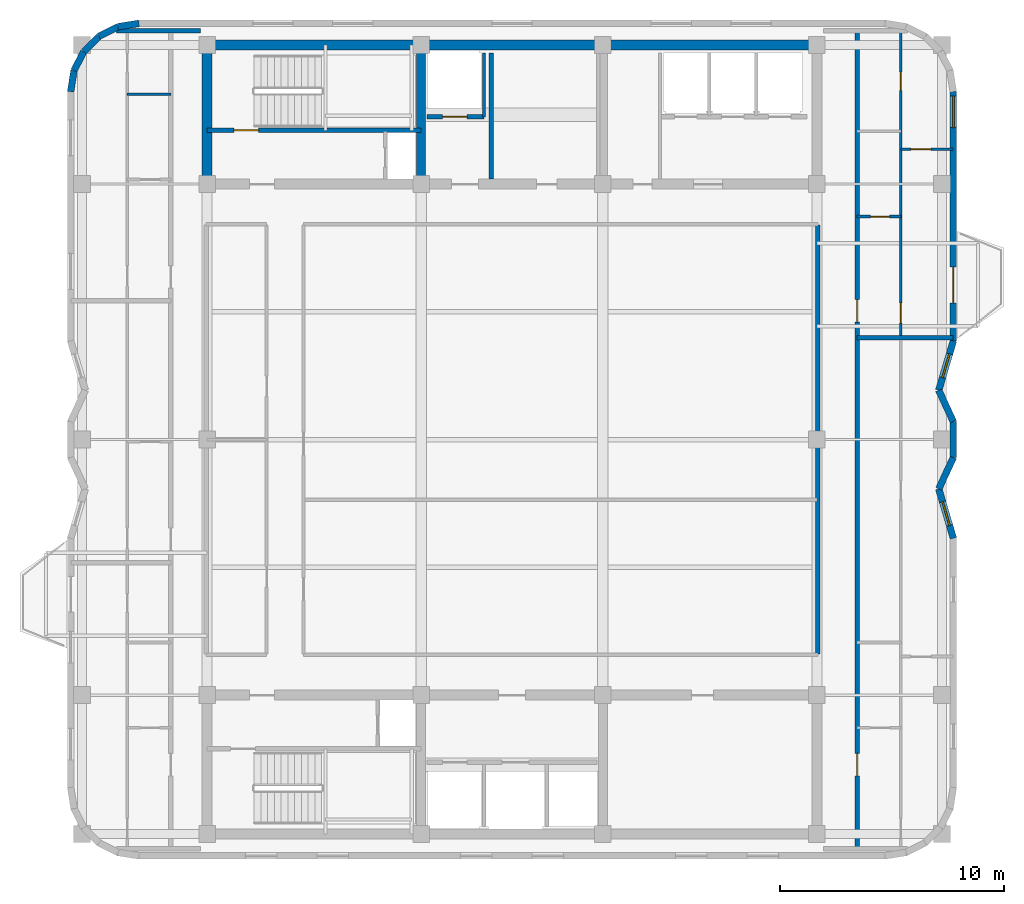
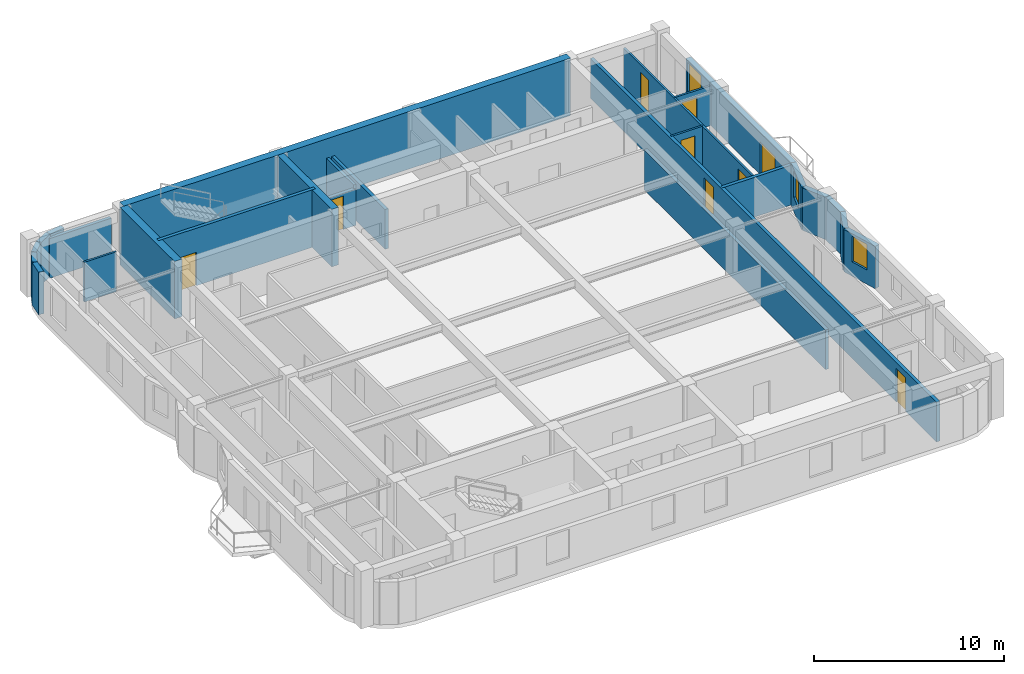
# One storey, part 5 of 8: 26 walls, 9 doors, 3 windows, 12 openings.
"""IFC4 building model written with IfcOpenShell, lengths in metres."""

from ifc_helpers import new_model, si_unit, direction, frame, frame_2d, origin, place, context, subcontext, project, spatial, rectangle, extrude, material, layer, layer_set, type_object, element, fill, save


model = new_model("IFC4")

# Units and contexts
model_context = context("Model", 3, precision=1e-05, world=origin(), true_north=direction((0.0, 1.0)))
body_context = subcontext(model_context, "Body", "Model", "MODEL_VIEW")
ifc_project = project(units=[si_unit("LENGTHUNIT", "METRE"), si_unit("AREAUNIT", "SQUARE_METRE"), si_unit("VOLUMEUNIT", "CUBIC_METRE"), si_unit("PLANEANGLEUNIT", "RADIAN"), si_unit("MASSUNIT", "GRAM", prefix="KILO")], contexts=[model_context])

# Site, building, storey
site_placement = place(None, origin())
site = spatial("IfcSite", under=ifc_project, at=site_placement, CompositionType="ELEMENT")
building_placement = place(site_placement, origin())
building = spatial("IfcBuilding", under=site, at=building_placement, Name="Svetorya Sky Lyceum", CompositionType="ELEMENT")
storey_placement = place(building_placement, frame((0.0, 0.0, 286.10009765625)))
storey = spatial("IfcBuildingStorey", under=building, at=storey_placement, Name="L72", CompositionType="ELEMENT", Elevation=286.10009765625)

# Walls
ifc_material_1 = material(Name="Concrete C40/50", Category="concrete")
ifc_layer_1 = layer(ifc_material_1, 0.39990234375)
ifc_layer_set_1 = layer_set([ifc_layer_1], Name="Concrete C40/50")
wall_type_1 = type_object("IfcWallType", Name="WL-CORE-400", PredefinedType="SHEAR", material=ifc_layer_set_1)
wall_1_placement = place(storey_placement, frame((35.14990234375, 39.824951171875, 0.0), z_axis=(0.0, 0.0, 1.0), x_axis=(0.0, 1.0, 0.0)))
element("IfcWall", 1, at=wall_1_placement, inside=storey, type_object=wall_type_1, Name="L72 NC Internal Shear Web WEB1", PredefinedType="SHEAR", context=body_context, shape_type="SweptSolid", body=[
    extrude(rectangle(XDim=5.75, YDim=0.39990234375, at=frame_2d((2.875, 0.0))), origin(), (0.0, 0.0, 1.0), 3.699951171875),
])
ifc_material_2 = material(Name="Concrete C50/60", Category="concrete")
ifc_layer_2 = layer(ifc_material_2, 0.449951171875)
ifc_layer_set_2 = layer_set([ifc_layer_2], Name="Concrete C50/60")
wall_type_2 = type_object("IfcWallType", Name="WL-CORE-450", PredefinedType="SHEAR", material=ifc_layer_set_2)
wall_2_placement = place(storey_placement, frame((25.60009765625, 45.800048828125, 0.0), z_axis=(0.0, 0.0, 1.0), x_axis=(1.0, 0.0, 0.0)))
element("IfcWall", 2, at=wall_2_placement, inside=storey, type_object=wall_type_2, Name="L72 NC Outer Core Shear Wall", PredefinedType="SHEAR", context=body_context, shape_type="SweptSolid", body=[
    extrude(rectangle(XDim=27.199951171875, YDim=0.449951171875, at=frame_2d((13.60009765625, 0.0))), origin(), (0.0, 0.0, 1.0), 3.699951171875),
])
wall_3_placement = place(storey_placement, frame((25.60009765625, 39.824951171875, 0.0), z_axis=(0.0, 0.0, 1.0), x_axis=(0.0, 1.0, 0.0)))
element("IfcWall", 3, at=wall_3_placement, inside=storey, type_object=wall_type_2, Name="L72 NC West Core Shear Wall", PredefinedType="SHEAR", context=body_context, shape_type="SweptSolid", body=[
    extrude(rectangle(XDim=5.75, YDim=0.449951171875, at=frame_2d((2.875, 0.0))), origin(), (0.0, 0.0, 1.0), 3.699951171875),
])

# Wall, opening, window
ifc_material_3 = material(Name="Putilovo limestone rainscreen on autoclaved cellular masonry", Category="masonry")
ifc_layer_3 = layer(ifc_material_3, 0.300048828125)
ifc_layer_set_3 = layer_set([ifc_layer_3], Name="Putilovo limestone rainscreen on autoclaved cellular masonry")
wall_type_3 = type_object("IfcWallType", Name="WL-EXT-300", PredefinedType="SOLIDWALL", material=ifc_layer_set_3)
wall_4_placement = place(storey_placement, frame((58.889892578125, 23.800048828125, 0.0), z_axis=(0.0, 0.0, 1.0), x_axis=(-0.283312771328, 0.959027566654, 0.0)))
wall_4 = element("IfcWall", 4, at=wall_4_placement, inside=storey, type_object=wall_type_3, Name="L72 Limestone Exterior Wall 13M", PredefinedType="SOLIDWALL", context=body_context, shape_type="SweptSolid", body=[
    extrude(rectangle(XDim=2.2939453125, YDim=0.300048828125, at=frame_2d((1.14697265625, 0.0))), origin(), (0.0, 0.0, 1.0), 2.72998046875),
])
opening_1_placement = place(wall_4_placement, frame((0.596923828125, 0.0, 0.919921875)))
opening_1 = element("IfcOpeningElement", 5, at=opening_1_placement, cuts=wall_4, Name="Opening W-R3", PredefinedType="OPENING", context=body_context, shape_type="SweptSolid", body=[
    extrude(rectangle(XDim=1.10009765625, YDim=1.64990234375, at=frame_2d((0.550048828125, 0.824951171875))), frame((0.0, 0.159912109375, 0.0), z_axis=(0.0, -1.0, 0.0), x_axis=(1.0, 0.0, 0.0)), (0.0, 0.0, 1.0), 0.320068359375),
])
ifc_material_4 = material(Name="Thermally broken aluminium frame with triple low-E glazing", Category="aluminium")
window_type_1 = type_object("IfcWindowType", Name="WN-RES-110", PartitioningType="SINGLE_PANEL", PredefinedType="WINDOW", material=ifc_material_4)
window_1_placement = place(opening_1_placement, origin())
window_1 = element("IfcWindow", 6, at=window_1_placement, inside=storey, type_object=window_type_1, Name="L72 Facade Window W-R3.13M.1", OverallHeight=1.64990234375, OverallWidth=1.10009765625, PartitioningType="SINGLE_PANEL", PredefinedType="WINDOW", context=body_context, shape_type="SweptSolid", body=[
    extrude(rectangle(XDim=1.10009765625, YDim=1.64990234375, at=frame_2d((0.550048828125, 0.824951171875))), frame((0.0, 0.030029296875, 0.0), z_axis=(0.0, -1.0, 0.0), x_axis=(1.0, 0.0, 0.0)), (0.0, 0.0, 1.0), 0.06005859375),
])
fill(opening_1, window_1)

# Walls
wall_5_placement = place(storey_placement, frame((58.239990234375, 26.0, 0.0), z_axis=(0.0, 0.0, 1.0), x_axis=(0.421083420882, 0.907021914101, 0.0)))
element("IfcWall", 7, at=wall_5_placement, inside=storey, type_object=wall_type_3, Name="L72 Limestone Exterior Wall 14M", PredefinedType="SOLIDWALL", context=body_context, shape_type="SweptSolid", body=[
    extrude(rectangle(XDim=1.54345703125, YDim=0.300048828125, at=frame_2d((0.771728515625, 0.0))), origin(), (0.0, 0.0, 1.0), 2.72998046875),
])
wall_6_placement = place(storey_placement, frame((58.889892578125, 27.39990234375, 0.0), z_axis=(0.0, 0.0, 1.0), x_axis=(0.0, 1.0, 0.0)))
element("IfcWall", 8, at=wall_6_placement, inside=storey, type_object=wall_type_3, Name="L72 Limestone Exterior Wall 15M", PredefinedType="SOLIDWALL", context=body_context, shape_type="SweptSolid", body=[
    extrude(rectangle(XDim=1.60009765625, YDim=0.300048828125, at=frame_2d((0.800048828125, 0.0))), origin(), (0.0, 0.0, 1.0), 2.72998046875),
])
wall_7_placement = place(storey_placement, frame((58.889892578125, 29.0, 0.0), z_axis=(0.0, 0.0, 1.0), x_axis=(-0.421083420882, 0.907021914101, 0.0)))
element("IfcWall", 9, at=wall_7_placement, inside=storey, type_object=wall_type_3, Name="L72 Limestone Exterior Wall 16M", PredefinedType="SOLIDWALL", context=body_context, shape_type="SweptSolid", body=[
    extrude(rectangle(XDim=1.54345703125, YDim=0.300048828125, at=frame_2d((0.771728515625, 0.0))), origin(), (0.0, 0.0, 1.0), 2.72998046875),
])

# Wall, opening, window
wall_8_placement = place(storey_placement, frame((58.239990234375, 30.39990234375, 0.0), z_axis=(0.0, 0.0, 1.0), x_axis=(0.28328385701, 0.959036107953, 0.0)))
wall_8 = element("IfcWall", 10, at=wall_8_placement, inside=storey, type_object=wall_type_3, Name="L72 Limestone Exterior Wall 17M", PredefinedType="SOLIDWALL", context=body_context, shape_type="SweptSolid", body=[
    extrude(rectangle(XDim=2.294189453125, YDim=0.300048828125, at=frame_2d((1.14697265625, 0.0))), origin(), (0.0, 0.0, 1.0), 2.72998046875),
])
opening_2_placement = place(wall_8_placement, frame((0.596923828125, 0.0, 0.919921875)))
opening_2 = element("IfcOpeningElement", 11, at=opening_2_placement, cuts=wall_8, Name="Opening W-R3", PredefinedType="OPENING", context=body_context, shape_type="SweptSolid", body=[
    extrude(rectangle(XDim=1.10009765625, YDim=1.64990234375, at=frame_2d((0.550048828125, 0.824951171875))), frame((0.0, 0.159912109375, 0.0), z_axis=(0.0, -1.0, 0.0), x_axis=(1.0, 0.0, 0.0)), (0.0, 0.0, 1.0), 0.320068359375),
])
window_2_placement = place(opening_2_placement, origin())
window_2 = element("IfcWindow", 12, at=window_2_placement, inside=storey, type_object=window_type_1, Name="L72 Facade Window W-R3.17M.1", OverallHeight=1.64990234375, OverallWidth=1.10009765625, PartitioningType="SINGLE_PANEL", PredefinedType="WINDOW", context=body_context, shape_type="SweptSolid", body=[
    extrude(rectangle(XDim=1.10009765625, YDim=1.64990234375, at=frame_2d((0.550048828125, 0.824951171875))), frame((0.0, 0.030029296875, 0.0), z_axis=(0.0, -1.0, 0.0), x_axis=(1.0, 0.0, 0.0)), (0.0, 0.0, 1.0), 0.06005859375),
])
fill(opening_2, window_2)

# Wall, openings, door, window
wall_9_placement = place(storey_placement, frame((58.889892578125, 32.60009765625, 0.0), z_axis=(0.0, 0.0, 1.0), x_axis=(0.0, 1.0, 0.0)))
wall_9 = element("IfcWall", 13, at=wall_9_placement, inside=storey, type_object=wall_type_3, Name="L72 Limestone Exterior Wall 18M", PredefinedType="SOLIDWALL", context=body_context, shape_type="SweptSolid", body=[
    extrude(rectangle(XDim=11.119873046875, YDim=0.300048828125, at=frame_2d((5.56005859375, 0.0))), origin(), (0.0, 0.0, 1.0), 2.72998046875),
])
opening_3_placement = place(wall_9_placement, frame((1.699951171875, 0.0, 0.0)))
opening_3 = element("IfcOpeningElement", 14, at=opening_3_placement, cuts=wall_9, Name="Opening D-BL1", PredefinedType="OPENING", context=body_context, shape_type="SweptSolid", body=[
    extrude(rectangle(XDim=1.60009765625, YDim=2.10009765625, at=frame_2d((0.800048828125, 1.050048828125))), frame((0.0, 0.159912109375, 0.0), z_axis=(0.0, -1.0, 0.0), x_axis=(1.0, 0.0, 0.0)), (0.0, 0.0, 1.0), 0.320068359375),
])
opening_4_placement = place(wall_9_placement, frame((9.52001953125, 0.0, 0.719970703125)))
opening_4 = element("IfcOpeningElement", 15, at=opening_4_placement, cuts=wall_9, Name="Opening W-R2", PredefinedType="OPENING", context=body_context, shape_type="SweptSolid", body=[
    extrude(rectangle(XDim=1.39990234375, YDim=1.85009765625, at=frame_2d((0.699951171875, 0.925048828125))), frame((0.0, 0.159912109375, 0.0), z_axis=(0.0, -1.0, 0.0), x_axis=(1.0, 0.0, 0.0)), (0.0, 0.0, 1.0), 0.320068359375),
])
ifc_material_5 = material(Name="Insulated glazed aluminium balcony door", Category="aluminium")
door_type_1 = type_object("IfcDoorType", Name="DR-BAL-1600", OperationType="DOUBLE_DOOR_SINGLE_SWING", PredefinedType="DOOR", material=ifc_material_5)
door_1_placement = place(opening_3_placement, origin())
door_1 = element("IfcDoor", 16, at=door_1_placement, inside=storey, type_object=door_type_1, Name="L72 Balcony BAL-E1 Door", OperationType="DOUBLE_DOOR_SINGLE_SWING", OverallHeight=2.10009765625, OverallWidth=1.60009765625, PredefinedType="DOOR", context=body_context, shape_type="SweptSolid", body=[
    extrude(rectangle(XDim=1.60009765625, YDim=2.10009765625, at=frame_2d((0.800048828125, 1.050048828125))), frame((0.0, 0.02490234375, 0.0), z_axis=(0.0, -1.0, 0.0), x_axis=(1.0, 0.0, 0.0)), (0.0, 0.0, 1.0), 0.050048828125),
])
fill(opening_3, door_1)
window_type_2 = type_object("IfcWindowType", Name="WN-RES-140", PartitioningType="SINGLE_PANEL", PredefinedType="WINDOW", material=ifc_material_4)
window_3_placement = place(opening_4_placement, origin())
window_3 = element("IfcWindow", 17, at=window_3_placement, inside=storey, type_object=window_type_2, Name="L72 Facade Window W-R2.18M.1", OverallHeight=1.85009765625, OverallWidth=1.39990234375, PartitioningType="SINGLE_PANEL", PredefinedType="WINDOW", context=body_context, shape_type="SweptSolid", body=[
    extrude(rectangle(XDim=1.39990234375, YDim=1.85009765625, at=frame_2d((0.699951171875, 0.925048828125))), frame((0.0, 0.030029296875, 0.0), z_axis=(0.0, -1.0, 0.0), x_axis=(1.0, 0.0, 0.0)), (0.0, 0.0, 1.0), 0.06005859375),
])
fill(opening_4, window_3)

# Walls
wall_10_placement = place(storey_placement, frame((22.56005859375, 46.77001953125, 0.0), z_axis=(0.0, 0.0, 1.0), x_axis=(-0.987669453596, -0.156553666304, 0.0)))
element("IfcWall", 18, at=wall_10_placement, inside=storey, type_object=wall_type_3, Name="L72 Limestone Exterior Wall 25M", PredefinedType="SOLIDWALL", context=body_context, shape_type="SweptSolid", body=[
    extrude(rectangle(XDim=0.954345703125, YDim=0.300048828125, at=frame_2d((0.47705078125, 0.0))), origin(), (0.0, 0.0, 1.0), 2.72998046875),
])
wall_11_placement = place(storey_placement, frame((21.617431640625, 46.62060546875, 0.0), z_axis=(0.0, 0.0, 1.0), x_axis=(-0.891023873617, -0.45395644796, 0.0)))
element("IfcWall", 19, at=wall_11_placement, inside=storey, type_object=wall_type_3, Name="L72 Limestone Exterior Wall 26M", PredefinedType="SOLIDWALL", context=body_context, shape_type="SweptSolid", body=[
    extrude(rectangle(XDim=0.9541015625, YDim=0.300048828125, at=frame_2d((0.47705078125, 0.0))), origin(), (0.0, 0.0, 1.0), 2.72998046875),
])
wall_12_placement = place(storey_placement, frame((20.767333984375, 46.1875, 0.0), z_axis=(0.0, 0.0, 1.0), x_axis=(-0.707106781187, -0.707106781187, 0.0)))
element("IfcWall", 20, at=wall_12_placement, inside=storey, type_object=wall_type_3, Name="L72 Limestone Exterior Wall 27M", PredefinedType="SOLIDWALL", context=body_context, shape_type="SweptSolid", body=[
    extrude(rectangle(XDim=0.954345703125, YDim=0.300048828125, at=frame_2d((0.47705078125, 0.0))), origin(), (0.0, 0.0, 1.0), 2.72998046875),
])
wall_13_placement = place(storey_placement, frame((20.092529296875, 45.5126953125, 0.0), z_axis=(0.0, 0.0, 1.0), x_axis=(-0.454159573051, -0.890920356825, 0.0)))
element("IfcWall", 21, at=wall_13_placement, inside=storey, type_object=wall_type_3, Name="L72 Limestone Exterior Wall 28M", PredefinedType="SOLIDWALL", context=body_context, shape_type="SweptSolid", body=[
    extrude(rectangle(XDim=0.9541015625, YDim=0.300048828125, at=frame_2d((0.47705078125, 0.0))), origin(), (0.0, 0.0, 1.0), 2.72998046875),
])
wall_14_placement = place(storey_placement, frame((19.6591796875, 44.66259765625, 0.0), z_axis=(0.0, 0.0, 1.0), x_axis=(-0.156304114255, -0.987708977314, 0.0)))
element("IfcWall", 22, at=wall_14_placement, inside=storey, type_object=wall_type_3, Name="L72 Limestone Exterior Wall 29M", PredefinedType="SOLIDWALL", context=body_context, shape_type="SweptSolid", body=[
    extrude(rectangle(XDim=0.954345703125, YDim=0.300048828125, at=frame_2d((0.47705078125, 0.0))), origin(), (0.0, 0.0, 1.0), 2.72998046875),
])
ifc_material_6 = material(Name="Twin-stud galvanized framing with double fireboard", Category="gypsum")
ifc_layer_4 = layer(ifc_material_6, 0.1201171875)
ifc_layer_set_4 = layer_set([ifc_layer_4], Name="Twin-stud galvanized framing with double fireboard")
wall_type_4 = type_object("IfcWallType", Name="WL-PART-120", PredefinedType="PARTITIONING", material=ifc_layer_set_4)
wall_15_placement = place(storey_placement, frame((22.030029296875, 43.60498046875, 0.0), z_axis=(0.0, 0.0, 1.0), x_axis=(1.0, 0.0, 0.0)))
element("IfcWall", 23, at=wall_15_placement, inside=storey, type_object=wall_type_4, Name="L72 Interior Partition W3-WH2", PredefinedType="PARTITIONING", context=body_context, shape_type="SweptSolid", body=[
    extrude(rectangle(XDim=1.949951171875, YDim=0.1201171875, at=frame_2d((0.97509765625, 0.0))), origin(), (0.0, 0.0, 1.0), 2.559814453125),
])

# Wall, opening, door
wall_16_placement = place(storey_placement, frame((54.60009765625, 38.14990234375, 0.0), z_axis=(0.0, 0.0, 1.0), x_axis=(1.0, 0.0, 0.0)))
wall_16 = element("IfcWall", 24, at=wall_16_placement, inside=storey, type_object=wall_type_4, Name="L72 Interior Partition E2-WH1", PredefinedType="PARTITIONING", context=body_context, shape_type="SweptSolid", body=[
    extrude(rectangle(XDim=1.949951171875, YDim=0.1201171875, at=frame_2d((0.97509765625, 0.0))), origin(), (0.0, 0.0, 1.0), 2.559814453125),
])
opening_5_placement = place(wall_16_placement, frame((0.60009765625, 0.0, 0.0)))
opening_5 = element("IfcOpeningElement", 25, at=opening_5_placement, cuts=wall_16, Name="Opening D-BT1", PredefinedType="OPENING", context=body_context, shape_type="SweptSolid", body=[
    extrude(rectangle(XDim=0.85009765625, YDim=2.10009765625, at=frame_2d((0.425048828125, 1.050048828125))), frame((0.0, 0.070068359375, 0.0), z_axis=(0.0, -1.0, 0.0), x_axis=(1.0, 0.0, 0.0)), (0.0, 0.0, 1.0), 0.14013671875),
])
ifc_material_7 = material(Name="Moisture-resistant laminate bathroom door")
door_type_2 = type_object("IfcDoorType", Name="DR-WET-850", OperationType="SINGLE_SWING_LEFT", PredefinedType="DOOR", material=ifc_material_7)
door_2_placement = place(opening_5_placement, origin())
door_2 = element("IfcDoor", 26, at=door_2_placement, inside=storey, type_object=door_type_2, Name="Apartment E2 Bathroom Door", OperationType="SINGLE_SWING_LEFT", OverallHeight=2.10009765625, OverallWidth=0.85009765625, PredefinedType="DOOR", context=body_context, shape_type="SweptSolid", body=[
    extrude(rectangle(XDim=0.85009765625, YDim=2.10009765625, at=frame_2d((0.425048828125, 1.050048828125))), frame((0.0, 0.02490234375, 0.0), z_axis=(0.0, -1.0, 0.0), x_axis=(1.0, 0.0, 0.0)), (0.0, 0.0, 1.0), 0.050048828125),
])
fill(opening_5, door_2)

wall_17_placement = place(storey_placement, frame((56.550048828125, 41.14990234375, 0.0), z_axis=(0.0, 0.0, 1.0), x_axis=(1.0, 0.0, 0.0)))
wall_17 = element("IfcWall", 27, at=wall_17_placement, inside=storey, type_object=wall_type_4, Name="L72 Interior Partition E2-WL1", PredefinedType="PARTITIONING", context=body_context, shape_type="SweptSolid", body=[
    extrude(rectangle(XDim=2.320068359375, YDim=0.1201171875, at=frame_2d((1.16015625, 0.0))), origin(), (0.0, 0.0, 1.0), 2.559814453125),
])
opening_6_placement = place(wall_17_placement, frame((0.449951171875, 0.0, 0.0)))
opening_6 = element("IfcOpeningElement", 28, at=opening_6_placement, cuts=wall_17, Name="Opening D-RM1", PredefinedType="OPENING", context=body_context, shape_type="SweptSolid", body=[
    extrude(rectangle(XDim=0.89990234375, YDim=2.10009765625, at=frame_2d((0.449951171875, 1.050048828125))), frame((0.0, 0.070068359375, 0.0), z_axis=(0.0, -1.0, 0.0), x_axis=(1.0, 0.0, 0.0)), (0.0, 0.0, 1.0), 0.14013671875),
])
ifc_material_8 = material(Name="Lacquered birch veneer internal door")
door_type_3 = type_object("IfcDoorType", Name="DR-INT-900", OperationType="SINGLE_SWING_LEFT", PredefinedType="DOOR", material=ifc_material_8)
door_3_placement = place(opening_6_placement, origin())
door_3 = element("IfcDoor", 29, at=door_3_placement, inside=storey, type_object=door_type_3, Name="Apartment E2 Bedroom 1 Door", OperationType="SINGLE_SWING_LEFT", OverallHeight=2.10009765625, OverallWidth=0.89990234375, PredefinedType="DOOR", context=body_context, shape_type="SweptSolid", body=[
    extrude(rectangle(XDim=0.89990234375, YDim=2.10009765625, at=frame_2d((0.449951171875, 1.050048828125))), frame((0.0, 0.02490234375, 0.0), z_axis=(0.0, -1.0, 0.0), x_axis=(1.0, 0.0, 0.0)), (0.0, 0.0, 1.0), 0.050048828125),
])
fill(opening_6, door_3)

# Wall, openings, doors
wall_18_placement = place(storey_placement, frame((56.550048828125, 32.7900390625, 0.0), z_axis=(0.0, 0.0, 1.0), x_axis=(0.0, 1.0, 0.0)))
wall_18 = element("IfcWall", 30, at=wall_18_placement, inside=storey, type_object=wall_type_4, Name="L72 Interior Partition E2-WV", PredefinedType="PARTITIONING", context=body_context, shape_type="SweptSolid", body=[
    extrude(rectangle(XDim=13.619873046875, YDim=0.1201171875, at=frame_2d((6.81005859375, 0.0))), origin(), (0.0, 0.0, 1.0), 2.559814453125),
])
opening_7_placement = place(wall_18_placement, frame((0.610107421875, 0.0, 0.0)))
opening_7 = element("IfcOpeningElement", 31, at=opening_7_placement, cuts=wall_18, Name="Opening D-RM1", PredefinedType="OPENING", context=body_context, shape_type="SweptSolid", body=[
    extrude(rectangle(XDim=0.89990234375, YDim=2.10009765625, at=frame_2d((0.449951171875, 1.050048828125))), frame((0.0, 0.070068359375, 0.0), z_axis=(0.0, -1.0, 0.0), x_axis=(1.0, 0.0, 0.0)), (0.0, 0.0, 1.0), 0.14013671875),
])
opening_8_placement = place(wall_18_placement, frame((10.985107421875, 0.0, 0.0)))
opening_8 = element("IfcOpeningElement", 32, at=opening_8_placement, cuts=wall_18, Name="Opening D-BT2", PredefinedType="OPENING", context=body_context, shape_type="SweptSolid", body=[
    extrude(rectangle(XDim=0.820068359375, YDim=2.080078125, at=frame_2d((0.41015625, 1.0400390625))), frame((0.0, 0.070068359375, 0.0), z_axis=(0.0, -1.0, 0.0), x_axis=(1.0, 0.0, 0.0)), (0.0, 0.0, 1.0), 0.14013671875),
])
door_4_placement = place(opening_7_placement, origin())
door_4 = element("IfcDoor", 33, at=door_4_placement, inside=storey, type_object=door_type_3, Name="Apartment E2 Living Door", OperationType="SINGLE_SWING_RIGHT", OverallHeight=2.10009765625, OverallWidth=0.89990234375, PredefinedType="DOOR", context=body_context, shape_type="SweptSolid", body=[
    extrude(rectangle(XDim=0.89990234375, YDim=2.10009765625, at=frame_2d((0.449951171875, 1.050048828125))), frame((0.0, 0.02490234375, 0.0), z_axis=(0.0, -1.0, 0.0), x_axis=(1.0, 0.0, 0.0)), (0.0, 0.0, 1.0), 0.050048828125),
])
fill(opening_7, door_4)
ifc_material_9 = material(Name="Compact moisture-resistant laminate closet door")
door_type_4 = type_object("IfcDoorType", Name="DR-WET-820", OperationType="SINGLE_SWING_LEFT", PredefinedType="DOOR", material=ifc_material_9)
door_5_placement = place(opening_8_placement, origin())
door_5 = element("IfcDoor", 34, at=door_5_placement, inside=storey, type_object=door_type_4, Name="Apartment E2 Study Door", OperationType="SINGLE_SWING_LEFT", OverallHeight=2.080078125, OverallWidth=0.820068359375, PredefinedType="DOOR", context=body_context, shape_type="SweptSolid", body=[
    extrude(rectangle(XDim=0.820068359375, YDim=2.080078125, at=frame_2d((0.41015625, 1.0400390625))), frame((0.0, 0.02490234375, 0.0), z_axis=(0.0, -1.0, 0.0), x_axis=(1.0, 0.0, 0.0)), (0.0, 0.0, 1.0), 0.050048828125),
])
fill(opening_8, door_5)

# Wall
ifc_material_10 = material(Name="Autoclaved cellular masonry blockwork with acoustic render", Category="masonry")
ifc_layer_5 = layer(ifc_material_10, 0.14990234375)
ifc_layer_set_5 = layer_set([ifc_layer_5], Name="Autoclaved cellular masonry blockwork with acoustic render")
wall_type_5 = type_object("IfcWallType", Name="WL-PART-150", PredefinedType="PARTITIONING", material=ifc_layer_set_5)
wall_19_placement = place(storey_placement, frame((37.949951171875, 42.60009765625, 0.0), z_axis=(0.0, 0.0, 1.0), x_axis=(0.0, 1.0, 0.0)))
element("IfcWall", 35, at=wall_19_placement, inside=storey, type_object=wall_type_5, Name="L72 Interior Partition NC-FL1SIDE", PredefinedType="PARTITIONING", context=body_context, shape_type="SweptSolid", body=[
    extrude(rectangle(XDim=2.849853515625, YDim=0.14990234375, at=frame_2d((1.4248046875, 0.0))), origin(), (0.0, 0.0, 1.0), 2.559814453125),
])

# Wall, opening, door
ifc_material_11 = material(Name="Autoclaved cellular masonry blockwork with gypsum plaster", Category="masonry")
ifc_layer_6 = layer(ifc_material_11, 0.199951171875)
ifc_layer_set_6 = layer_set([ifc_layer_6], Name="Autoclaved cellular masonry blockwork with gypsum plaster")
wall_type_6 = type_object("IfcWallType", Name="WL-PART-200", PredefinedType="PARTITIONING", material=ifc_layer_set_6)
wall_20_placement = place(storey_placement, frame((37.949951171875, 42.60009765625, 0.0), z_axis=(0.0, 0.0, 1.0), x_axis=(-1.0, 0.0, 0.0)))
wall_20 = element("IfcWall", 36, at=wall_20_placement, inside=storey, type_object=wall_type_6, Name="L72 Interior Partition NC-FL1W", PredefinedType="PARTITIONING", context=body_context, shape_type="SweptSolid", body=[
    extrude(rectangle(XDim=2.550048828125, YDim=0.199951171875, at=frame_2d((1.27490234375, 0.0))), origin(), (0.0, 0.0, 1.0), 2.329833984375),
])
opening_9_placement = place(wall_20_placement, frame((0.75, 0.0, 0.0)))
opening_9 = element("IfcOpeningElement", 37, at=opening_9_placement, cuts=wall_20, Name="Opening LD-FL", PredefinedType="OPENING", context=body_context, shape_type="SweptSolid", body=[
    extrude(rectangle(XDim=1.10009765625, YDim=2.14990234375, at=frame_2d((0.550048828125, 1.074951171875))), frame((0.0, 0.10986328125, 0.0), z_axis=(0.0, -1.0, 0.0), x_axis=(1.0, 0.0, 0.0)), (0.0, 0.0, 1.0), 0.219970703125),
])
ifc_material_12 = material(Name="Fire-rated stainless AISI 304 firefighting lift landing door")
door_type_5 = type_object("IfcDoorType", Name="DR-LIFT-1100", OperationType="SLIDING_TO_LEFT", PredefinedType="DOOR", material=ifc_material_12)
door_6_placement = place(opening_9_placement, origin())
door_6 = element("IfcDoor", 38, at=door_6_placement, inside=storey, type_object=door_type_5, Name="L72 Firefighting Lift FL1 Landing Door", OperationType="SLIDING_TO_LEFT", OverallHeight=2.14990234375, OverallWidth=1.10009765625, PredefinedType="DOOR", context=body_context, shape_type="SweptSolid", body=[
    extrude(rectangle(XDim=1.10009765625, YDim=2.14990234375, at=frame_2d((0.550048828125, 1.074951171875))), frame((0.0, 0.02490234375, 0.0), z_axis=(0.0, -1.0, 0.0), x_axis=(1.0, 0.0, 0.0)), (0.0, 0.0, 1.0), 0.050048828125),
])
fill(opening_9, door_6)

# Walls
wall_21_placement = place(storey_placement, frame((38.280029296875, 39.820068359375, 0.0), z_axis=(0.0, 0.0, 1.0), x_axis=(0.0, 1.0, 0.0)))
element("IfcWall", 39, at=wall_21_placement, inside=storey, type_object=wall_type_6, Name="L72 Interior Partition NC-FFLDIV", PredefinedType="PARTITIONING", context=body_context, shape_type="SweptSolid", body=[
    extrude(rectangle(XDim=5.6298828125, YDim=0.199951171875, at=frame_2d((2.81494140625, 0.0))), origin(), (0.0, 0.0, 1.0), 2.559814453125),
])
wall_22_placement = place(storey_placement, frame((52.85009765625, 18.6298828125, 0.0), z_axis=(0.0, 0.0, 1.0), x_axis=(0.0, 1.0, 0.0)))
element("IfcWall", 40, at=wall_22_placement, inside=storey, type_object=wall_type_6, Name="L72 Interior Partition E-CEN-SEP", PredefinedType="PARTITIONING", context=body_context, shape_type="SweptSolid", body=[
    extrude(rectangle(XDim=19.14013671875, YDim=0.199951171875, at=frame_2d((9.570068359375, 0.0))), origin(), (0.0, 0.0, 1.0), 2.559814453125),
])
wall_23_placement = place(storey_placement, frame((21.5458984375, 46.449951171875, 0.0), z_axis=(0.0, 0.0, 1.0), x_axis=(1.0, 0.0, 0.0)))
element("IfcWall", 41, at=wall_23_placement, inside=storey, type_object=wall_type_6, Name="L72 Interior Partition W-CAP-N", PredefinedType="PARTITIONING", context=body_context, shape_type="SweptSolid", body=[
    extrude(rectangle(XDim=3.754150390625, YDim=0.199951171875, at=frame_2d((1.876953125, 0.0))), origin(), (0.0, 0.0, 1.0), 2.559814453125),
])
wall_24_placement = place(storey_placement, frame((54.60009765625, 32.75, 0.0), z_axis=(0.0, 0.0, 1.0), x_axis=(1.0, 0.0, 0.0)))
element("IfcWall", 42, at=wall_24_placement, inside=storey, type_object=wall_type_6, Name="L72 Interior Partition E-PARTY-1", PredefinedType="PARTITIONING", context=body_context, shape_type="SweptSolid", body=[
    extrude(rectangle(XDim=4.27001953125, YDim=0.199951171875, at=frame_2d((2.135009765625, 0.0))), origin(), (0.0, 0.0, 1.0), 2.559814453125),
])

# Wall, openings, doors
wall_25_placement = place(storey_placement, frame((54.60009765625, 9.949951171875, 0.0), z_axis=(0.0, 0.0, 1.0), x_axis=(0.0, 1.0, 0.0)))
wall_25 = element("IfcWall", 43, at=wall_25_placement, inside=storey, type_object=wall_type_6, Name="L72 Interior Partition E-CORRW", PredefinedType="PARTITIONING", context=body_context, shape_type="SweptSolid", body=[
    extrude(rectangle(XDim=36.5, YDim=0.199951171875, at=frame_2d((18.25, 0.0))), origin(), (0.0, 0.0, 1.0), 2.559814453125),
])
opening_10_placement = place(wall_25_placement, frame((3.25, 0.0, 0.0)))
opening_10 = element("IfcOpeningElement", 44, at=opening_10_placement, cuts=wall_25, Name="Opening D-APT1", PredefinedType="OPENING", context=body_context, shape_type="SweptSolid", body=[
    extrude(rectangle(XDim=1.0, YDim=2.14990234375, at=frame_2d((0.5, 1.074951171875))), frame((0.0, 0.10986328125, 0.0), z_axis=(0.0, -1.0, 0.0), x_axis=(1.0, 0.0, 0.0)), (0.0, 0.0, 1.0), 0.219970703125),
])
opening_11_placement = place(wall_25_placement, frame((23.5, 0.0, 0.0)))
opening_11 = element("IfcOpeningElement", 45, at=opening_11_placement, cuts=wall_25, Name="Opening D-APT1", PredefinedType="OPENING", context=body_context, shape_type="SweptSolid", body=[
    extrude(rectangle(XDim=1.0, YDim=2.14990234375, at=frame_2d((0.5, 1.074951171875))), frame((0.0, 0.10986328125, 0.0), z_axis=(0.0, -1.0, 0.0), x_axis=(1.0, 0.0, 0.0)), (0.0, 0.0, 1.0), 0.219970703125),
])
ifc_material_13 = material(Name="Insulated oak-veneered apartment entrance door")
door_type_6 = type_object("IfcDoorType", Name="DR-APT-1000", OperationType="SINGLE_SWING_LEFT", PredefinedType="DOOR", material=ifc_material_13)
door_7_placement = place(opening_10_placement, origin())
door_7 = element("IfcDoor", 46, at=door_7_placement, inside=storey, type_object=door_type_6, Name="L72 Apartment E1 Entrance Door", OperationType="SINGLE_SWING_RIGHT", OverallHeight=2.14990234375, OverallWidth=1.0, PredefinedType="DOOR", context=body_context, shape_type="SweptSolid", body=[
    extrude(rectangle(XDim=1.0, YDim=2.14990234375, at=frame_2d((0.5, 1.074951171875))), frame((0.0, 0.02490234375, 0.0), z_axis=(0.0, -1.0, 0.0), x_axis=(1.0, 0.0, 0.0)), (0.0, 0.0, 1.0), 0.050048828125),
])
fill(opening_10, door_7)
door_8_placement = place(opening_11_placement, origin())
door_8 = element("IfcDoor", 47, at=door_8_placement, inside=storey, type_object=door_type_6, Name="L72 Apartment E2 Entrance Door", OperationType="SINGLE_SWING_LEFT", OverallHeight=2.14990234375, OverallWidth=1.0, PredefinedType="DOOR", context=body_context, shape_type="SweptSolid", body=[
    extrude(rectangle(XDim=1.0, YDim=2.14990234375, at=frame_2d((0.5, 1.074951171875))), frame((0.0, 0.02490234375, 0.0), z_axis=(0.0, -1.0, 0.0), x_axis=(1.0, 0.0, 0.0)), (0.0, 0.0, 1.0), 0.050048828125),
])
fill(opening_11, door_8)

# Wall, opening, door
ifc_layer_7 = layer(ifc_material_2, 0.199951171875)
ifc_layer_set_7 = layer_set([ifc_layer_7], Name="Concrete C50/60")
wall_type_7 = type_object("IfcWallType", Name="WL-SHW-200", PredefinedType="SHEAR", material=ifc_layer_set_7)
wall_26_placement = place(storey_placement, frame((35.14990234375, 42.0, 0.0), z_axis=(0.0, 0.0, 1.0), x_axis=(-1.0, 0.0, 0.0)))
wall_26 = element("IfcWall", 48, at=wall_26_placement, inside=storey, type_object=wall_type_7, Name="L72 Structural Stair Shaft Wall NC-STW", PredefinedType="SHEAR", context=body_context, shape_type="SweptSolid", body=[
    extrude(rectangle(XDim=9.5498046875, YDim=0.199951171875, at=frame_2d((4.77490234375, 0.0))), origin(), (0.0, 0.0, 1.0), 3.699951171875),
])
opening_12_placement = place(wall_26_placement, frame((7.25, 0.0, 0.0)))
opening_12 = element("IfcOpeningElement", 49, at=opening_12_placement, cuts=wall_26, Name="Opening D-ST1", PredefinedType="OPENING", context=body_context, shape_type="SweptSolid", body=[
    extrude(rectangle(XDim=1.10009765625, YDim=2.14990234375, at=frame_2d((0.550048828125, 1.074951171875))), frame((0.0, 0.10986328125, 0.0), z_axis=(0.0, -1.0, 0.0), x_axis=(1.0, 0.0, 0.0)), (0.0, 0.0, 1.0), 0.219970703125),
])
ifc_material_14 = material(Name="Powder-coated insulated galvanized stair fire door")
door_type_7 = type_object("IfcDoorType", Name="DR-FIRE-1100", OperationType="SINGLE_SWING_LEFT", PredefinedType="DOOR", material=ifc_material_14)
door_9_placement = place(opening_12_placement, origin())
door_9 = element("IfcDoor", 50, at=door_9_placement, inside=storey, type_object=door_type_7, Name="L72 Stair ST-N Vestibule Fire Door", OperationType="SINGLE_SWING_RIGHT", OverallHeight=2.14990234375, OverallWidth=1.10009765625, PredefinedType="DOOR", context=body_context, shape_type="SweptSolid", body=[
    extrude(rectangle(XDim=1.10009765625, YDim=2.14990234375, at=frame_2d((0.550048828125, 1.074951171875))), frame((0.0, 0.02490234375, 0.0), z_axis=(0.0, -1.0, 0.0), x_axis=(1.0, 0.0, 0.0)), (0.0, 0.0, 1.0), 0.050048828125),
])
fill(opening_12, door_9)

save(model, "model.ifc")
